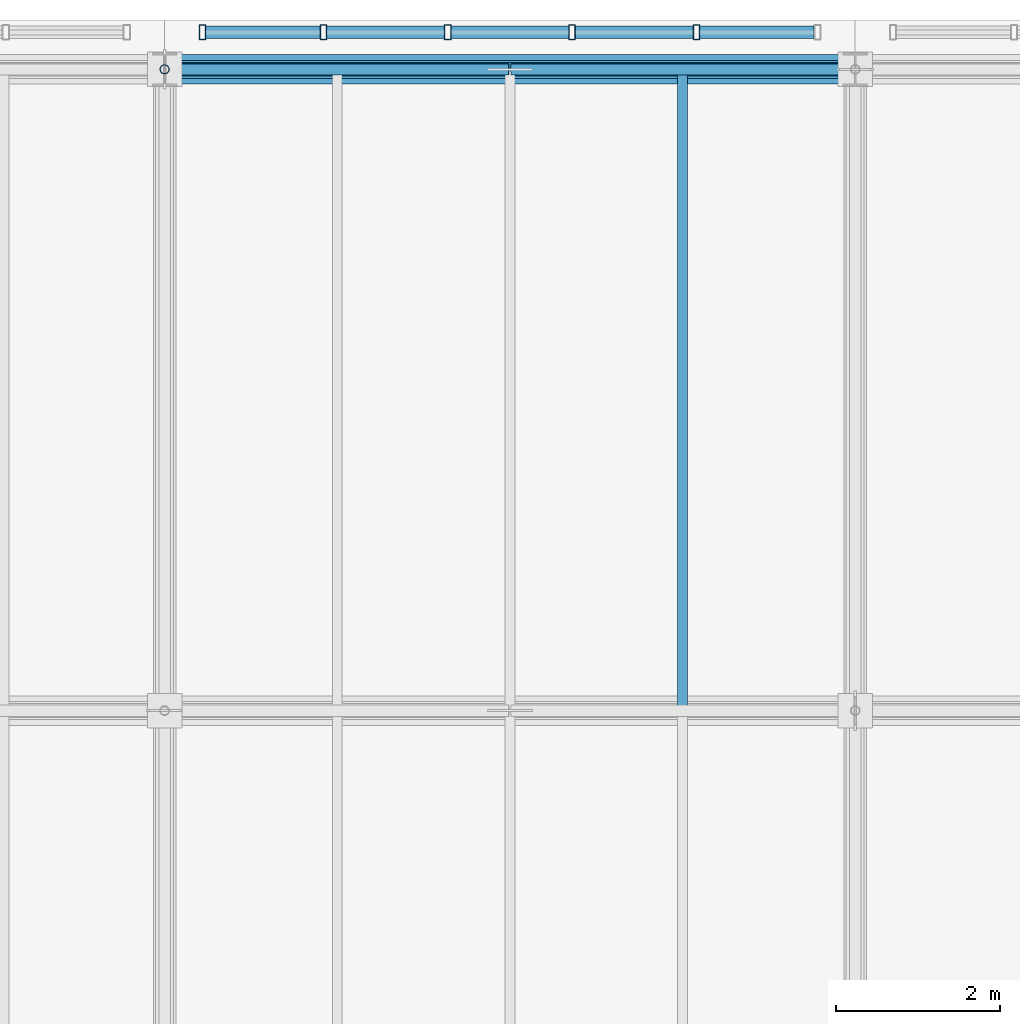
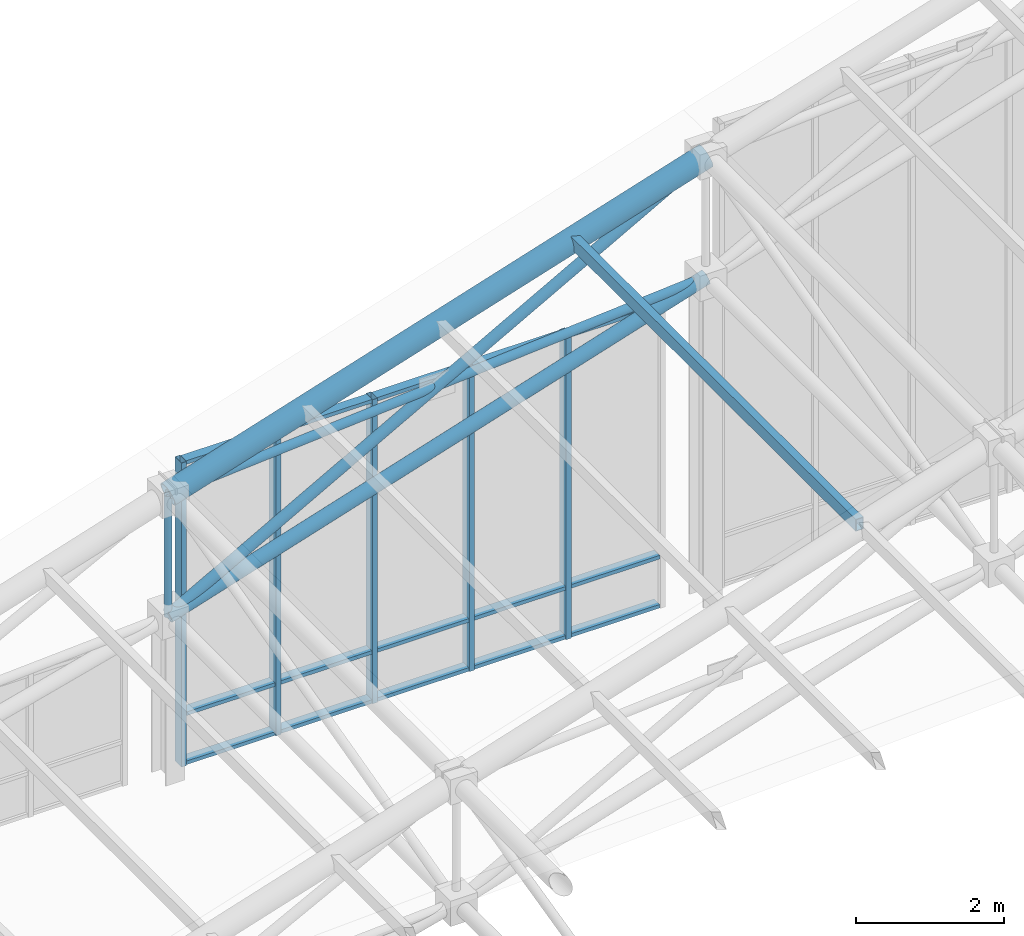
# One storey, part 64 of 144: 27 members, 1 element without a shape of its own.
"""IFC4 building model written with IfcOpenShell, lengths in metres."""

from ifc_helpers import new_model, si_unit, direction, frame, origin, origin_2d, place, context, subcontext, project, spatial, hollow_rectangle, hollow_circle, extrude, material, layer, layer_set, material_profile, profile_set, type_object, element, aggregate, save


model = new_model("IFC4")

# Units and contexts
model_context = context("Model", 3, precision=1e-05, world=origin(), true_north=direction((0.0, 1.0)))
body_context = subcontext(model_context, "Body", "Model", "MODEL_VIEW")
ifc_project = project(units=[si_unit("LENGTHUNIT", "METRE"), si_unit("AREAUNIT", "SQUARE_METRE"), si_unit("VOLUMEUNIT", "CUBIC_METRE"), si_unit("PLANEANGLEUNIT", "RADIAN"), si_unit("MASSUNIT", "GRAM", prefix="KILO")], contexts=[model_context])

# Site, building, storey
site_placement = place(None, origin())
site = spatial("IfcSite", under=ifc_project, at=site_placement, CompositionType="ELEMENT")
building_placement = place(site_placement, origin())
building = spatial("IfcBuilding", under=site, at=building_placement, Name="Zayran Congress Hotel", CompositionType="ELEMENT")
storey_placement = place(building_placement, frame((0.0, 0.0, 19.199951171875)))
storey = spatial("IfcBuildingStorey", under=building, at=storey_placement, Name="L04", CompositionType="ELEMENT", Elevation=19.199951171875)

# Members
ifc_material_1 = material(Name="Steel S355", Category="steel")
ifc_material_profile_1 = material_profile(ifc_material_1, hollow_circle(Radius=0.177734375, WallThickness=0.01611328125, at=origin_2d()), Name="CHS 355.6x16")
ifc_profile_set_1 = profile_set([ifc_material_profile_1], Name="Steel S355")
member_type_1 = type_object("IfcMemberType", Name="TP-SF-TC1", PredefinedType="CHORD", material=ifc_profile_set_1)
member_1_placement = place(storey_placement, frame((16.800048828125, 117.39990234375, 4.652099609375), z_axis=(0.953670596398, 0.0, 0.300852777228), x_axis=(0.0, 1.0, 0.0)))
element("IfcMember", 1, at=member_1_placement, inside=storey, type_object=member_type_1, Name="Space Frame Top Chord X 108", PredefinedType="CHORD", context=body_context, shape_type="SweptSolid", body=[
    extrude(hollow_circle(Radius=0.177734375, WallThickness=0.01611328125, at=origin_2d()), origin(), (0.0, 0.0, 1.0), 8.807861328125),
])
ifc_material_profile_2 = material_profile(ifc_material_1, hollow_circle(Radius=0.109619140625, WallThickness=0.010009765625, at=origin_2d()), Name="CHS 219.1x10")
ifc_profile_set_2 = profile_set([ifc_material_profile_2], Name="Steel S355")
member_type_2 = type_object("IfcMemberType", Name="TP-SF-BC1", PredefinedType="CHORD", material=ifc_profile_set_2)
member_2_placement = place(storey_placement, frame((16.800048828125, 117.39990234375, 2.650146484375), z_axis=(0.953670596398, 0.0, 0.300852777228), x_axis=(0.0, 1.0, 0.0)))
element("IfcMember", 2, at=member_2_placement, inside=storey, type_object=member_type_2, Name="Space Frame Bottom Chord X 109", PredefinedType="CHORD", context=body_context, shape_type="SweptSolid", body=[
    extrude(hollow_circle(Radius=0.109619140625, WallThickness=0.010009765625, at=origin_2d()), origin(), (0.0, 0.0, 1.0), 8.807861328125),
])
ifc_material_profile_3 = material_profile(ifc_material_1, hollow_circle(Radius=0.084228515625, WallThickness=0.008056640625, at=origin_2d()), Name="CHS 168.3x8")
ifc_profile_set_3 = profile_set([ifc_material_profile_3], Name="Steel S355")
member_type_3 = type_object("IfcMemberType", Name="TP-SF-DG1", PredefinedType="BRACE", material=ifc_profile_set_3)
member_3_placement = place(storey_placement, frame((16.800048828125, 117.39990234375, 2.650146484375), z_axis=(0.87480892947, 0.0, 0.484468096905), x_axis=(0.0, 1.0, 0.0)))
element("IfcMember", 3, at=member_3_placement, inside=storey, type_object=member_type_3, Name="Space Frame Web Diagonal X 110", PredefinedType="BRACE", context=body_context, shape_type="SweptSolid", body=[
    extrude(hollow_circle(Radius=0.084228515625, WallThickness=0.008056640625, at=origin_2d()), origin(), (0.0, 0.0, 1.0), 9.60205078125),
])
ifc_material_profile_4 = material_profile(ifc_material_1, hollow_circle(Radius=0.06982421875, WallThickness=0.00634765625, at=origin_2d()), Name="CHS 139.7x6.3")
ifc_profile_set_4 = profile_set([ifc_material_profile_4], Name="Steel S355")
member_type_4 = type_object("IfcMemberType", Name="TP-SF-DG2", PredefinedType="BRACE", material=ifc_profile_set_4)
for number, where, z_axis, x_axis, name in (
    (4, (16.800048828125, 117.39990234375, 4.652099609375), (0.997039412202, 0.0, 0.076892200614), (0.0, 1.0, 0.0), "Space Frame Counter Diagonal X Upper 111"),
    (5, (21.014892578125, 117.39990234375, 4.977294921875), (0.997039412202, 0.0, 0.076892200614), (0.0, 1.0, 0.0), "Space Frame Counter Diagonal X Lower 20"),
):
    element("IfcMember", number, at=place(storey_placement, frame(where, z_axis=z_axis, x_axis=x_axis)), inside=storey, type_object=member_type_4, Name=name, PredefinedType="BRACE", context=body_context, shape_type="SweptSolid", body=[
        extrude(hollow_circle(Radius=0.06982421875, WallThickness=0.00634765625, at=origin_2d()), origin(), (0.0, 0.0, 1.0), 4.197509765625),
    ])
ifc_material_profile_5 = material_profile(ifc_material_1, hollow_circle(Radius=0.05712890625, WallThickness=0.00634765625, at=origin_2d()), Name="CHS 114.3x6.3")
ifc_profile_set_5 = profile_set([ifc_material_profile_5], Name="Steel S355")
member_type_5 = type_object("IfcMemberType", Name="TP-SF-DG3", PredefinedType="BRACE", material=ifc_profile_set_5)
member_4_placement = place(storey_placement, frame((16.800048828125, 117.39990234375, 2.650146484375), z_axis=(0.0, 0.0, 1.0), x_axis=(0.0, 1.0, 0.0)))
element("IfcMember", 6, at=member_4_placement, inside=storey, type_object=member_type_5, Name="Space Frame Web Strut 112", PredefinedType="BRACE", context=body_context, shape_type="SweptSolid", body=[
    extrude(hollow_circle(Radius=0.05712890625, WallThickness=0.00634765625, at=origin_2d()), origin(), (0.0, 0.0, 1.0), 2.001953125),
])
ifc_material_profile_6 = material_profile(ifc_material_1, hollow_rectangle(XDim=0.1201171875, YDim=0.199951171875, WallThickness=0.008056640625, at=origin_2d()), Name="RHS 200x120x8")
ifc_profile_set_6 = profile_set([ifc_material_profile_6], Name="Steel S355")
member_type_6 = type_object("IfcMemberType", Name="TP-PR-01", PredefinedType="PURLIN", material=ifc_profile_set_6)
member_5_placement = place(storey_placement, frame((23.10009765625, 109.60009765625, 6.681640625), z_axis=(0.0, 1.0, 0.0), x_axis=(-1.0, 0.0, 0.0)))
element("IfcMember", 7, at=member_5_placement, inside=storey, type_object=member_type_6, Name="MEM-PR-V1-0036", PredefinedType="PURLIN", context=body_context, shape_type="SweptSolid", body=[
    extrude(hollow_rectangle(XDim=0.1201171875, YDim=0.199951171875, WallThickness=0.008056640625, at=origin_2d()), origin(), (0.0, 0.0, 1.0), 7.7998046875),
])

# Curtain wall, members
ifc_material_2 = material(Name="Anodised aluminium and low-E insulated glass", Category="aluminium")
ifc_layer = layer(ifc_material_2, 0.179931640625)
ifc_layer_set = layer_set([ifc_layer], Name="Anodised aluminium and low-E insulated glass")
curtain_wall_type = type_object("IfcCurtainWallType", Name="CW-V1CL-L04-CW-22-7560-5020", PredefinedType="USERDEFINED", material=ifc_layer_set)
curtain_wall_placement = place(storey_placement, origin())
curtain_wall = element("IfcCurtainWall", 8, at=curtain_wall_placement, inside=storey, type_object=curtain_wall_type, Name="CW-V1CLN-1", ObjectType="CURTAIN WALL", PredefinedType="USERDEFINED")
ifc_material_3 = material(Name="Anodised aluminium framing", Category="aluminium")
ifc_material_profile_7 = material_profile(ifc_material_3, hollow_rectangle(XDim=0.080078125, YDim=0.179931640625, WallThickness=0.0048828125, at=origin_2d()), Name="RHS 180x80x5")
ifc_profile_set_7 = profile_set([ifc_material_profile_7], Name="Anodised aluminium framing")
member_type_7 = type_object("IfcMemberType", Name="TP-CWM-01", PredefinedType="MULLION", material=ifc_profile_set_7)
member_6_placement = place(storey_placement, frame((23.26806640625, 117.85009765625, -0.219970703125), z_axis=(0.0, 0.0, 1.0), x_axis=(1.0, 0.0, 0.0)))
member_6 = element("IfcMember", 9, at=member_6_placement, type_object=member_type_7, Name="CW-V1CLN-1-M01", PredefinedType="MULLION", context=body_context, shape_type="SweptSolid", body=[
    extrude(hollow_rectangle(XDim=0.080078125, YDim=0.179931640625, WallThickness=0.0048828125, at=origin_2d()), origin(), (0.0, 0.0, 1.0), 5.02001953125),
])
member_7_placement = place(storey_placement, frame((21.756103515625, 117.85009765625, -0.219970703125), z_axis=(0.0, 0.0, 1.0), x_axis=(1.0, 0.0, 0.0)))
member_7 = element("IfcMember", 10, at=member_7_placement, type_object=member_type_7, Name="CW-V1CLN-1-M02", PredefinedType="MULLION", context=body_context, shape_type="SweptSolid", body=[
    extrude(hollow_rectangle(XDim=0.080078125, YDim=0.179931640625, WallThickness=0.0048828125, at=origin_2d()), origin(), (0.0, 0.0, 1.0), 5.02001953125),
])
member_8_placement = place(storey_placement, frame((20.243896484375, 117.85009765625, -0.219970703125), z_axis=(0.0, 0.0, 1.0), x_axis=(1.0, 0.0, 0.0)))
member_8 = element("IfcMember", 11, at=member_8_placement, type_object=member_type_7, Name="CW-V1CLN-1-M03", PredefinedType="MULLION", context=body_context, shape_type="SweptSolid", body=[
    extrude(hollow_rectangle(XDim=0.080078125, YDim=0.179931640625, WallThickness=0.0048828125, at=origin_2d()), origin(), (0.0, 0.0, 1.0), 5.02001953125),
])
member_9_placement = place(storey_placement, frame((18.73193359375, 117.85009765625, -0.219970703125), z_axis=(0.0, 0.0, 1.0), x_axis=(1.0, 0.0, 0.0)))
member_9 = element("IfcMember", 12, at=member_9_placement, type_object=member_type_7, Name="CW-V1CLN-1-M04", PredefinedType="MULLION", context=body_context, shape_type="SweptSolid", body=[
    extrude(hollow_rectangle(XDim=0.080078125, YDim=0.179931640625, WallThickness=0.0048828125, at=origin_2d()), origin(), (0.0, 0.0, 1.0), 5.02001953125),
])
member_10_placement = place(storey_placement, frame((17.260009765625, 117.85009765625, -0.219970703125), z_axis=(0.0, 0.0, 1.0), x_axis=(1.0, 0.0, 0.0)))
member_10 = element("IfcMember", 13, at=member_10_placement, type_object=member_type_7, Name="CW-V1CLN-1-M05", PredefinedType="MULLION", context=body_context, shape_type="SweptSolid", body=[
    extrude(hollow_rectangle(XDim=0.080078125, YDim=0.179931640625, WallThickness=0.0048828125, at=origin_2d()), origin(), (0.0, 0.0, 1.0), 5.02001953125),
])
ifc_material_profile_8 = material_profile(ifc_material_3, hollow_rectangle(XDim=0.06005859375, YDim=0.14990234375, WallThickness=0.00390625, at=origin_2d()), Name="RHS 150x60x4")
ifc_profile_set_8 = profile_set([ifc_material_profile_8], Name="Anodised aluminium framing")
member_type_8 = type_object("IfcMemberType", Name="TP-CWT-01", PredefinedType="USERDEFINED", material=ifc_profile_set_8)
member_11_placement = place(storey_placement, frame((24.699951171875, 117.85009765625, -0.18994140625), z_axis=(-1.0, 0.0, 0.0), x_axis=(0.0, 0.0, 1.0)))
member_11 = element("IfcMember", 14, at=member_11_placement, type_object=member_type_8, Name="CW-V1CLN-1-T00-0", ObjectType="TRANSOM", PredefinedType="USERDEFINED", context=body_context, shape_type="SweptSolid", body=[
    extrude(hollow_rectangle(XDim=0.06005859375, YDim=0.14990234375, WallThickness=0.00390625, at=origin_2d()), origin(), (0.0, 0.0, 1.0), 1.391845703125),
])
member_12_placement = place(storey_placement, frame((24.699951171875, 117.85009765625, 0.6201171875), z_axis=(-1.0, 0.0, 0.0), x_axis=(0.0, 0.0, 1.0)))
member_12 = element("IfcMember", 15, at=member_12_placement, type_object=member_type_8, Name="CW-V1CLN-1-T00-1", ObjectType="TRANSOM", PredefinedType="USERDEFINED", context=body_context, shape_type="SweptSolid", body=[
    extrude(hollow_rectangle(XDim=0.06005859375, YDim=0.14990234375, WallThickness=0.00390625, at=origin_2d()), origin(), (0.0, 0.0, 1.0), 1.391845703125),
])
member_13_placement = place(storey_placement, frame((24.699951171875, 117.85009765625, 4.77001953125), z_axis=(-1.0, 0.0, 0.0), x_axis=(0.0, 0.0, 1.0)))
member_13 = element("IfcMember", 16, at=member_13_placement, type_object=member_type_8, Name="CW-V1CLN-1-T00-2", ObjectType="TRANSOM", PredefinedType="USERDEFINED", context=body_context, shape_type="SweptSolid", body=[
    extrude(hollow_rectangle(XDim=0.06005859375, YDim=0.14990234375, WallThickness=0.00390625, at=origin_2d()), origin(), (0.0, 0.0, 1.0), 1.391845703125),
])
member_14_placement = place(storey_placement, frame((23.22802734375, 117.85009765625, -0.18994140625), z_axis=(-1.0, 0.0, 0.0), x_axis=(0.0, 0.0, 1.0)))
member_14 = element("IfcMember", 17, at=member_14_placement, type_object=member_type_8, Name="CW-V1CLN-1-T01-0", ObjectType="TRANSOM", PredefinedType="USERDEFINED", context=body_context, shape_type="SweptSolid", body=[
    extrude(hollow_rectangle(XDim=0.06005859375, YDim=0.14990234375, WallThickness=0.00390625, at=origin_2d()), origin(), (0.0, 0.0, 1.0), 1.43212890625),
])
member_15_placement = place(storey_placement, frame((23.22802734375, 117.85009765625, 0.6201171875), z_axis=(-1.0, 0.0, 0.0), x_axis=(0.0, 0.0, 1.0)))
member_15 = element("IfcMember", 18, at=member_15_placement, type_object=member_type_8, Name="CW-V1CLN-1-T01-1", ObjectType="TRANSOM", PredefinedType="USERDEFINED", context=body_context, shape_type="SweptSolid", body=[
    extrude(hollow_rectangle(XDim=0.06005859375, YDim=0.14990234375, WallThickness=0.00390625, at=origin_2d()), origin(), (0.0, 0.0, 1.0), 1.43212890625),
])
member_16_placement = place(storey_placement, frame((23.22802734375, 117.85009765625, 4.77001953125), z_axis=(-1.0, 0.0, 0.0), x_axis=(0.0, 0.0, 1.0)))
member_16 = element("IfcMember", 19, at=member_16_placement, type_object=member_type_8, Name="CW-V1CLN-1-T01-2", ObjectType="TRANSOM", PredefinedType="USERDEFINED", context=body_context, shape_type="SweptSolid", body=[
    extrude(hollow_rectangle(XDim=0.06005859375, YDim=0.14990234375, WallThickness=0.00390625, at=origin_2d()), origin(), (0.0, 0.0, 1.0), 1.43212890625),
])
member_17_placement = place(storey_placement, frame((21.716064453125, 117.85009765625, -0.18994140625), z_axis=(-1.0, 0.0, 0.0), x_axis=(0.0, 0.0, 1.0)))
member_17 = element("IfcMember", 20, at=member_17_placement, type_object=member_type_8, Name="CW-V1CLN-1-T02-0", ObjectType="TRANSOM", PredefinedType="USERDEFINED", context=body_context, shape_type="SweptSolid", body=[
    extrude(hollow_rectangle(XDim=0.06005859375, YDim=0.14990234375, WallThickness=0.00390625, at=origin_2d()), origin(), (0.0, 0.0, 1.0), 1.43212890625),
])
member_18_placement = place(storey_placement, frame((21.716064453125, 117.85009765625, 0.6201171875), z_axis=(-1.0, 0.0, 0.0), x_axis=(0.0, 0.0, 1.0)))
member_18 = element("IfcMember", 21, at=member_18_placement, type_object=member_type_8, Name="CW-V1CLN-1-T02-1", ObjectType="TRANSOM", PredefinedType="USERDEFINED", context=body_context, shape_type="SweptSolid", body=[
    extrude(hollow_rectangle(XDim=0.06005859375, YDim=0.14990234375, WallThickness=0.00390625, at=origin_2d()), origin(), (0.0, 0.0, 1.0), 1.43212890625),
])
member_19_placement = place(storey_placement, frame((21.716064453125, 117.85009765625, 4.77001953125), z_axis=(-1.0, 0.0, 0.0), x_axis=(0.0, 0.0, 1.0)))
member_19 = element("IfcMember", 22, at=member_19_placement, type_object=member_type_8, Name="CW-V1CLN-1-T02-2", ObjectType="TRANSOM", PredefinedType="USERDEFINED", context=body_context, shape_type="SweptSolid", body=[
    extrude(hollow_rectangle(XDim=0.06005859375, YDim=0.14990234375, WallThickness=0.00390625, at=origin_2d()), origin(), (0.0, 0.0, 1.0), 1.43212890625),
])
member_20_placement = place(storey_placement, frame((20.2041015625, 117.85009765625, -0.18994140625), z_axis=(-1.0, 0.0, 0.0), x_axis=(0.0, 0.0, 1.0)))
member_20 = element("IfcMember", 23, at=member_20_placement, type_object=member_type_8, Name="CW-V1CLN-1-T03-0", ObjectType="TRANSOM", PredefinedType="USERDEFINED", context=body_context, shape_type="SweptSolid", body=[
    extrude(hollow_rectangle(XDim=0.06005859375, YDim=0.14990234375, WallThickness=0.00390625, at=origin_2d()), origin(), (0.0, 0.0, 1.0), 1.43212890625),
])
member_21_placement = place(storey_placement, frame((20.2041015625, 117.85009765625, 0.6201171875), z_axis=(-1.0, 0.0, 0.0), x_axis=(0.0, 0.0, 1.0)))
member_21 = element("IfcMember", 24, at=member_21_placement, type_object=member_type_8, Name="CW-V1CLN-1-T03-1", ObjectType="TRANSOM", PredefinedType="USERDEFINED", context=body_context, shape_type="SweptSolid", body=[
    extrude(hollow_rectangle(XDim=0.06005859375, YDim=0.14990234375, WallThickness=0.00390625, at=origin_2d()), origin(), (0.0, 0.0, 1.0), 1.43212890625),
])
member_22_placement = place(storey_placement, frame((20.2041015625, 117.85009765625, 4.77001953125), z_axis=(-1.0, 0.0, 0.0), x_axis=(0.0, 0.0, 1.0)))
member_22 = element("IfcMember", 25, at=member_22_placement, type_object=member_type_8, Name="CW-V1CLN-1-T03-2", ObjectType="TRANSOM", PredefinedType="USERDEFINED", context=body_context, shape_type="SweptSolid", body=[
    extrude(hollow_rectangle(XDim=0.06005859375, YDim=0.14990234375, WallThickness=0.00390625, at=origin_2d()), origin(), (0.0, 0.0, 1.0), 1.43212890625),
])
member_23_placement = place(storey_placement, frame((18.69189453125, 117.85009765625, -0.18994140625), z_axis=(-1.0, 0.0, 0.0), x_axis=(0.0, 0.0, 1.0)))
member_23 = element("IfcMember", 26, at=member_23_placement, type_object=member_type_8, Name="CW-V1CLN-1-T04-0", ObjectType="TRANSOM", PredefinedType="USERDEFINED", context=body_context, shape_type="SweptSolid", body=[
    extrude(hollow_rectangle(XDim=0.06005859375, YDim=0.14990234375, WallThickness=0.00390625, at=origin_2d()), origin(), (0.0, 0.0, 1.0), 1.391845703125),
])
member_24_placement = place(storey_placement, frame((18.69189453125, 117.85009765625, 0.6201171875), z_axis=(-1.0, 0.0, 0.0), x_axis=(0.0, 0.0, 1.0)))
member_24 = element("IfcMember", 27, at=member_24_placement, type_object=member_type_8, Name="CW-V1CLN-1-T04-1", ObjectType="TRANSOM", PredefinedType="USERDEFINED", context=body_context, shape_type="SweptSolid", body=[
    extrude(hollow_rectangle(XDim=0.06005859375, YDim=0.14990234375, WallThickness=0.00390625, at=origin_2d()), origin(), (0.0, 0.0, 1.0), 1.391845703125),
])
member_25_placement = place(storey_placement, frame((18.69189453125, 117.85009765625, 4.77001953125), z_axis=(-1.0, 0.0, 0.0), x_axis=(0.0, 0.0, 1.0)))
member_25 = element("IfcMember", 28, at=member_25_placement, type_object=member_type_8, Name="CW-V1CLN-1-T04-2", ObjectType="TRANSOM", PredefinedType="USERDEFINED", context=body_context, shape_type="SweptSolid", body=[
    extrude(hollow_rectangle(XDim=0.06005859375, YDim=0.14990234375, WallThickness=0.00390625, at=origin_2d()), origin(), (0.0, 0.0, 1.0), 1.391845703125),
])
aggregate(curtain_wall, [member_6, member_7, member_8, member_9, member_10, member_11, member_12, member_13, member_14, member_15, member_16, member_17, member_18, member_19, member_20, member_21, member_22, member_23, member_24, member_25])

save(model, "model.ifc")
